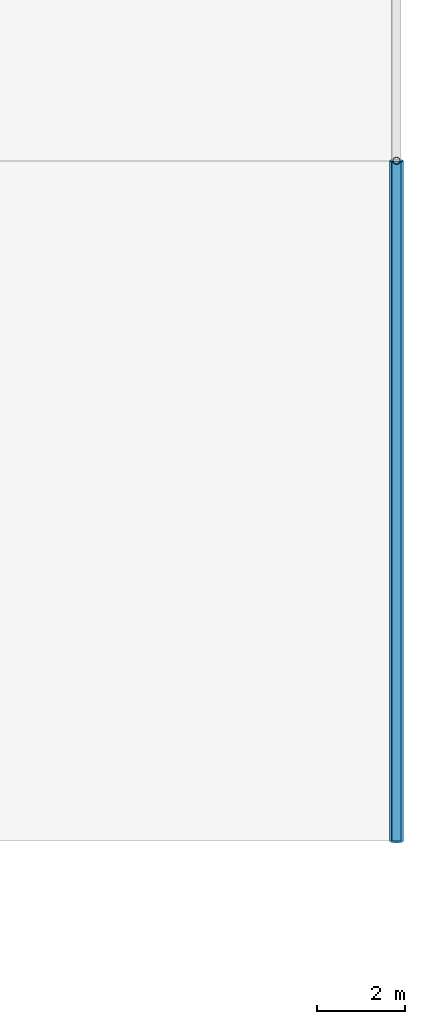
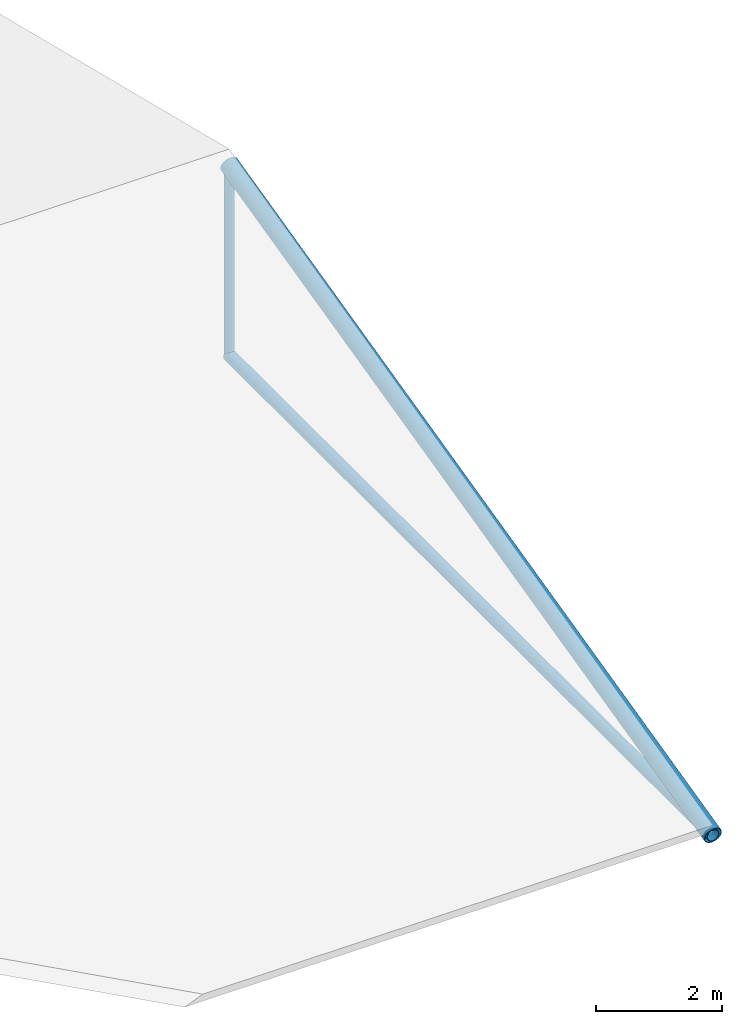
# One storey, part 67 of 194: 3 members.
"""IFC4 building model written with IfcOpenShell, lengths in metres."""

from ifc_helpers import new_model, si_unit, direction, frame, origin, origin_2d, place, context, subcontext, project, spatial, hollow_circle, extrude, material, material_profile, profile_set, type_object, element, save


model = new_model("IFC4")

# Units and contexts
model_context = context("Model", 3, precision=1e-05, world=origin(), true_north=direction((0.0, 1.0)))
body_context = subcontext(model_context, "Body", "Model", "MODEL_VIEW")
ifc_project = project(units=[si_unit("LENGTHUNIT", "METRE"), si_unit("AREAUNIT", "SQUARE_METRE"), si_unit("VOLUMEUNIT", "CUBIC_METRE"), si_unit("PLANEANGLEUNIT", "RADIAN"), si_unit("MASSUNIT", "GRAM", prefix="KILO")], contexts=[model_context])

# Site, building, storey
site_placement = place(None, origin())
site = spatial("IfcSite", under=ifc_project, at=site_placement, CompositionType="ELEMENT")
building_placement = place(site_placement, origin())
building = spatial("IfcBuilding", under=site, at=building_placement, Name="Kazenagashi Tramway Depot", CompositionType="ELEMENT")
storey_placement = place(building_placement, frame((0.0, 0.0, 23.7)))
storey = spatial("IfcBuildingStorey", under=building, at=storey_placement, Name="ROOF", CompositionType="ELEMENT", Elevation=23.7)

# Members
ifc_material = material(Name="Steel STK490", Category="steel")
ifc_material_profile_1 = material_profile(ifc_material, hollow_circle(Radius=0.10815, WallThickness=0.0082, at=origin_2d()), Name="CHS-216.3x8.2")
ifc_profile_set_1 = profile_set([ifc_material_profile_1], Name="Steel STK490")
member_type_1 = type_object("IfcMemberType", Name="TC-02", PredefinedType="CHORD", material=ifc_profile_set_1)
member_1_placement = place(storey_placement, frame((196.0, 38.5, -8.6), z_axis=(0.0, 1.0, 0.0), x_axis=(-1.0, 0.0, 0.0)))
element("IfcMember", 1, at=member_1_placement, inside=storey, type_object=member_type_1, Name="Roof Truss TC-02 MEM-1549", PredefinedType="CHORD", context=body_context, shape_type="SweptSolid", body=[
    extrude(hollow_circle(Radius=0.10815, WallThickness=0.0082, at=origin_2d()), origin(), (0.0, 0.0, 1.0), 15.4),
])
ifc_material_profile_2 = material_profile(ifc_material, hollow_circle(Radius=0.15925, WallThickness=0.0103, at=origin_2d()), Name="CHS-318.5x10.3")
ifc_profile_set_2 = profile_set([ifc_material_profile_2], Name="Steel STK490")
member_type_2 = type_object("IfcMemberType", Name="TC-05", PredefinedType="CHORD", material=ifc_profile_set_2)
member_2_placement = place(storey_placement, frame((196.0, 38.5, -8.6), z_axis=(0.0, 0.972329961031, 0.233611743884), x_axis=(-1.0, 0.0, 0.0)))
element("IfcMember", 2, at=member_2_placement, inside=storey, type_object=member_type_2, Name="Roof Truss TC-05 MEM-1547", PredefinedType="CHORD", context=body_context, shape_type="SweptSolid", body=[
    extrude(hollow_circle(Radius=0.15925, WallThickness=0.0103, at=origin_2d()), origin(), (0.0, 0.0, 1.0), 15.838245),
])
ifc_material_profile_3 = material_profile(ifc_material, hollow_circle(Radius=0.0826, WallThickness=0.0071, at=origin_2d()), Name="CHS-165.2x7.1")
ifc_profile_set_3 = profile_set([ifc_material_profile_3], Name="Steel STK490")
member_type_3 = type_object("IfcMemberType", Name="TS-01", PredefinedType="STRUT", material=ifc_profile_set_3)
member_3_placement = place(storey_placement, frame((196.0, 53.9, -8.6), z_axis=(0.0, 0.0, 1.0), x_axis=(1.0, 0.0, 0.0)))
element("IfcMember", 3, at=member_3_placement, inside=storey, type_object=member_type_3, Name="Roof Truss TS-01 MEM-1551", PredefinedType="STRUT", context=body_context, shape_type="SweptSolid", body=[
    extrude(hollow_circle(Radius=0.0826, WallThickness=0.0071, at=origin_2d()), origin(), (0.0, 0.0, 1.0), 3.7),
])

save(model, "model.ifc")
